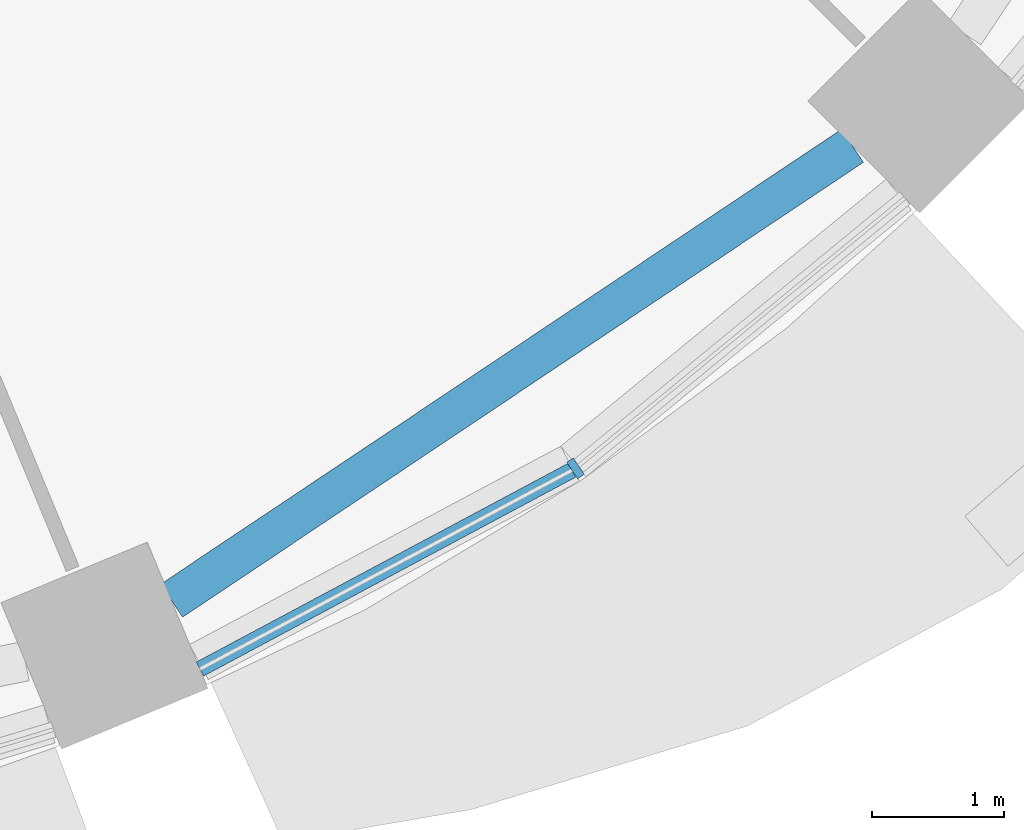
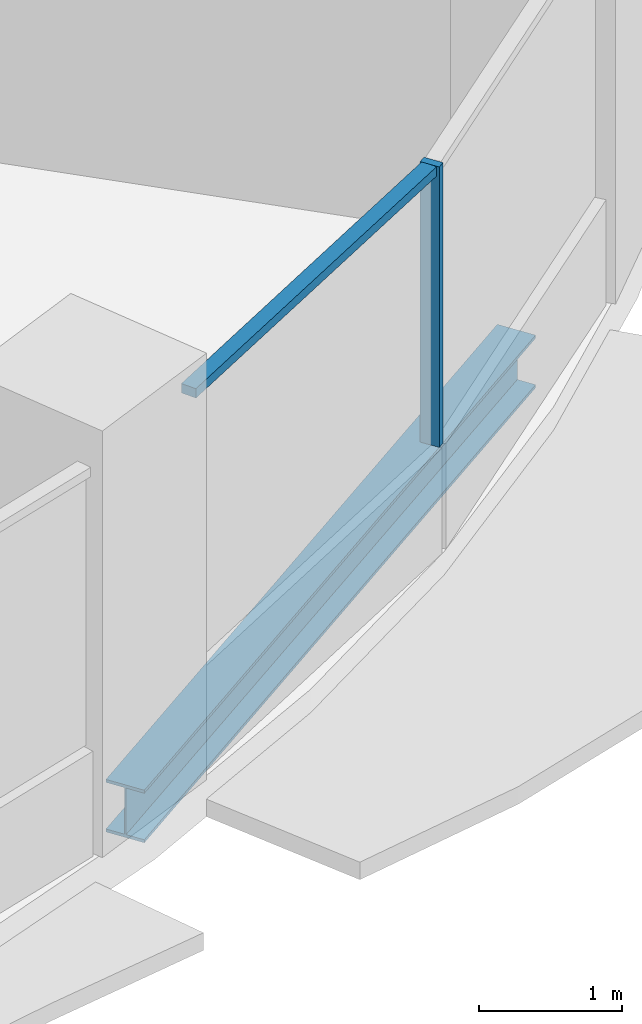
# One storey, part 3 of 15: 2 members, 1 beam, 1 element without a shape of its own.
"""IFC4 building model written with IfcOpenShell, lengths in metres."""

from ifc_helpers import new_model, si_unit, direction, frame, origin, origin_2d, place, context, subcontext, project, spatial, rectangle, i_section, extrude, material, material_profile, profile_set, type_object, element, aggregate, save


model = new_model("IFC4")

# Units and contexts
model_context = context("Model", 3, precision=1e-05, world=origin(), true_north=direction((0.0, 1.0)))
body_context = subcontext(model_context, "Body", "Model", "MODEL_VIEW")
ifc_project = project(units=[si_unit("LENGTHUNIT", "METRE"), si_unit("AREAUNIT", "SQUARE_METRE"), si_unit("VOLUMEUNIT", "CUBIC_METRE"), si_unit("PLANEANGLEUNIT", "RADIAN"), si_unit("MASSUNIT", "GRAM", prefix="KILO")], contexts=[model_context])

# Site, building, storey
site_placement = place(None, origin())
site = spatial("IfcSite", under=ifc_project, at=site_placement, CompositionType="ELEMENT")
building_placement = place(site_placement, origin())
building = spatial("IfcBuilding", under=site, at=building_placement, Name="Polderwave Tower", CompositionType="ELEMENT")
storey_placement = place(building_placement, frame((0.0, 0.0, 55.39990234375)))
storey = spatial("IfcBuildingStorey", under=building, at=storey_placement, Name="L14", CompositionType="ELEMENT", Elevation=55.39990234375)

# Curtain wall, members
ifc_material_1 = material(Name="Aluminium 6063-T6 and glass", Category="aluminium")
curtain_wall_type = type_object("IfcCurtainWallType", Name="Growing floor ribbon glazing wall", PredefinedType="NOTDEFINED", material=ifc_material_1)
curtain_wall_placement = place(storey_placement, origin())
curtain_wall = element("IfcCurtainWall", 1, at=curtain_wall_placement, inside=storey, type_object=curtain_wall_type, Name="CW2 L14 13", PredefinedType="NOTDEFINED")
ifc_material_2 = material(Name="Aluminium 6063-T6", Category="aluminium")
ifc_material_profile_1 = material_profile(ifc_material_2, rectangle(XDim=0.14990234375, YDim=0.06005859375, at=origin_2d()), Name="AL 60x150")
ifc_profile_set_1 = profile_set([ifc_material_profile_1], Name="Aluminium 6063-T6")
member_type_1 = type_object("IfcMemberType", Name="Growing floor ribbon glazing mullion 60x150", PredefinedType="MULLION", material=ifc_profile_set_1)
member_1_placement = place(storey_placement, frame((10.85009765625, -16.239013671875, 0.900146484375), z_axis=(0.0, 0.0, 1.0), x_axis=(-0.555576037759, 0.83146573367, 0.0)))
member_1 = element("IfcMember", 2, at=member_1_placement, type_object=member_type_1, Name="CW2 mullion 1", PredefinedType="MULLION", context=body_context, shape_type="SweptSolid", body=[
    extrude(rectangle(XDim=0.14990234375, YDim=0.06005859375, at=origin_2d()), origin(), (0.0, 0.0, 1.0), 2.39990234375),
])
ifc_material_profile_2 = material_profile(ifc_material_2, rectangle(XDim=0.1201171875, YDim=0.080078125, at=origin_2d()), Name="AL 80x120")
ifc_profile_set_2 = profile_set([ifc_material_profile_2], Name="Aluminium 6063-T6")
member_type_2 = type_object("IfcMemberType", Name="Growing floor ribbon glazing transom 80x120", PredefinedType="USERDEFINED", material=ifc_profile_set_2)
member_2_placement = place(storey_placement, frame((8.006103515625, -17.759033203125, 3.260009765625), z_axis=(0.881929477556, 0.471381370673, 0.0), x_axis=(-0.471381370673, 0.881929477556, 0.0)))
member_2 = element("IfcMember", 3, at=member_2_placement, type_object=member_type_2, Name="CW2 transom 1", ObjectType="TRANSOM", PredefinedType="USERDEFINED", context=body_context, shape_type="SweptSolid", body=[
    extrude(rectangle(XDim=0.1201171875, YDim=0.080078125, at=origin_2d()), origin(), (0.0, 0.0, 1.0), 3.194580078125),
])
aggregate(curtain_wall, [member_1, member_2])

# Beam
ifc_material_3 = material(Name="Steel S355", Category="steel")
ifc_material_profile_3 = material_profile(ifc_material_3, i_section(OverallWidth=0.300048828125, OverallDepth=0.449951171875, WebThickness=0.013916015625, FlangeThickness=0.02587890625, at=origin_2d()), Name="HE 450 B")
ifc_profile_set_3 = profile_set([ifc_material_profile_3], Name="Steel S355")
beam_type = type_object("IfcBeamType", Name="RING BEAM HE 450 B", PredefinedType="BEAM", material=ifc_profile_set_3)
beam_placement = place(storey_placement, frame((7.791015625, -17.241455078125, -0.574951171875), z_axis=(0.831480541779, 0.555553875554, 0.0), x_axis=(-0.555553875554, 0.831480541779, 0.0)))
element("IfcBeam", 4, at=beam_placement, inside=storey, type_object=beam_type, Name="ST-RB-L14-13", PredefinedType="BEAM", context=body_context, shape_type="SweptSolid", body=[
    extrude(i_section(OverallWidth=0.300048828125, OverallDepth=0.449951171875, WebThickness=0.013916015625, FlangeThickness=0.02587890625, at=origin_2d()), origin(), (0.0, 0.0, 1.0), 6.20166015625),
])

save(model, "model.ifc")
